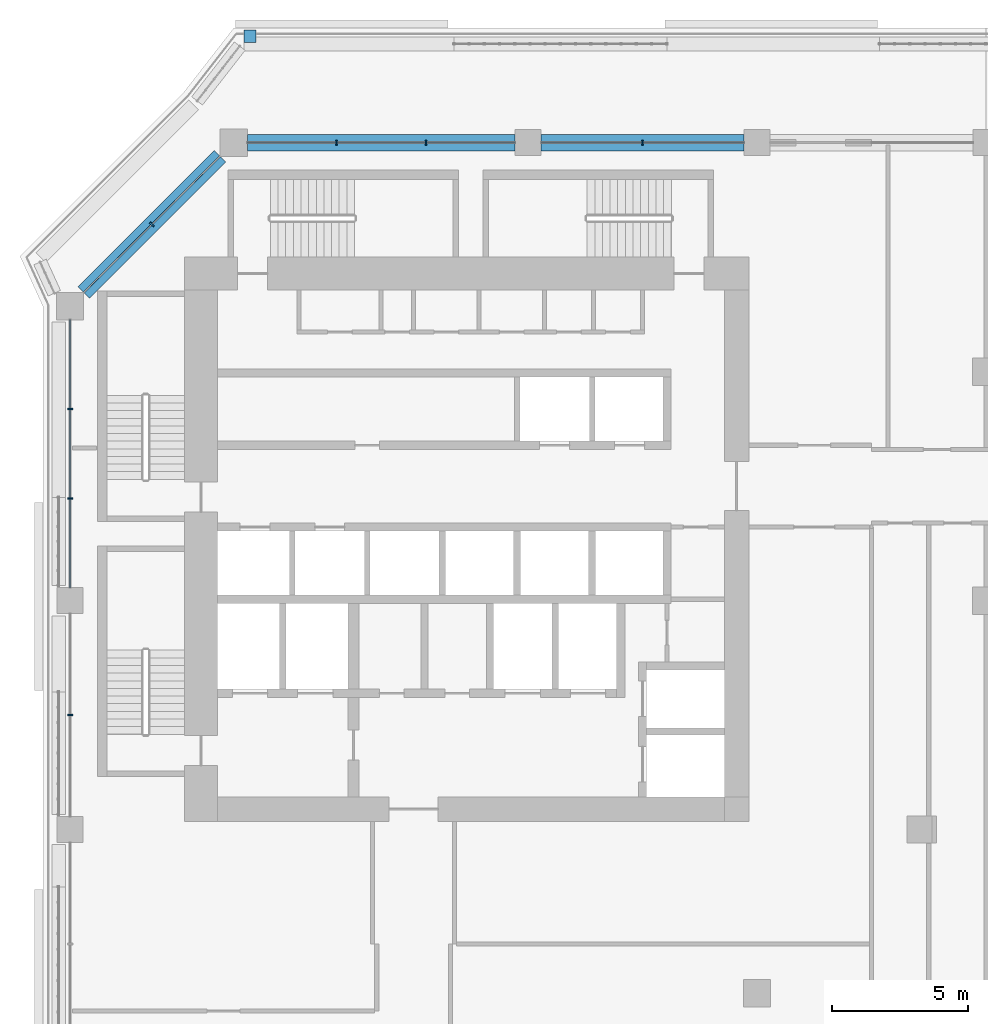
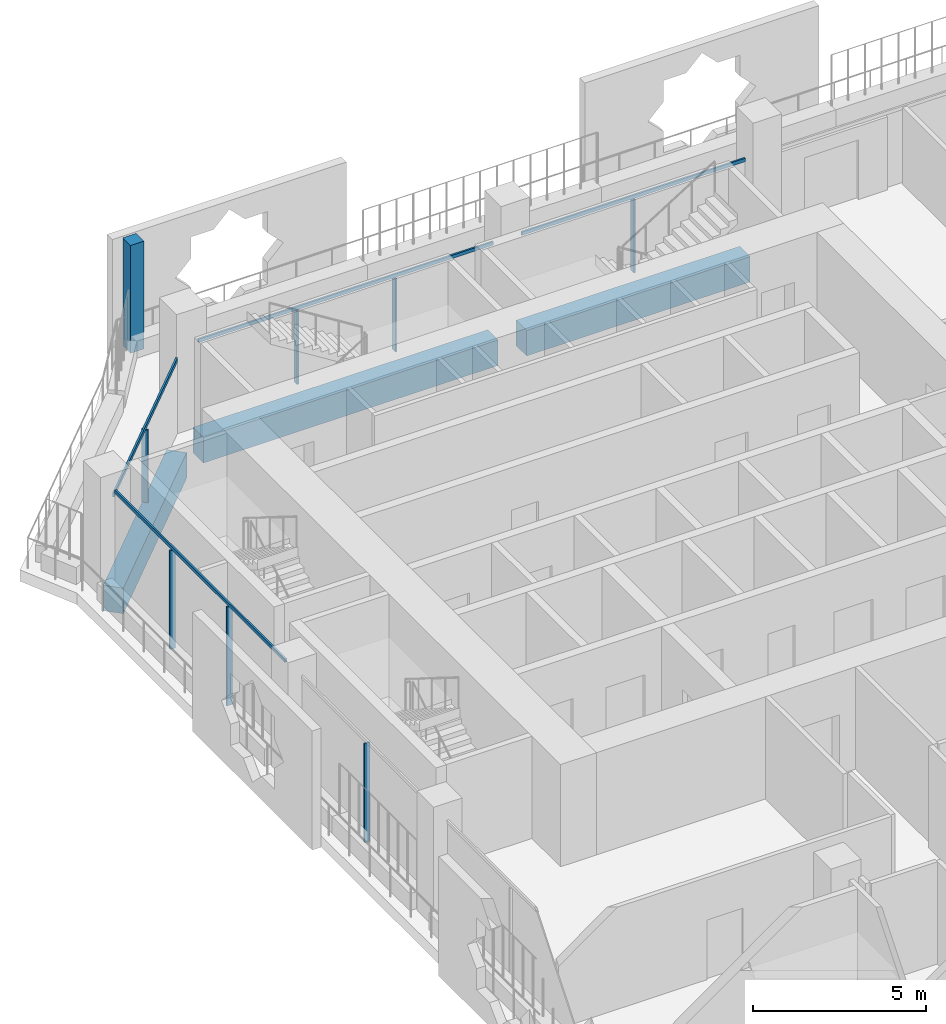
# One storey, part 5 of 22: 12 members, 3 beams, 4 elements without a shape of their own.
"""IFC4 building model written with IfcOpenShell, lengths in metres."""

from ifc_helpers import new_model, si_unit, direction, frame, origin, origin_2d, place, context, subcontext, project, spatial, rectangle, extrude, material, layer, layer_set, material_profile, profile_set, type_object, element, aggregate, save


model = new_model("IFC4")

# Units and contexts
model_context = context("Model", 3, precision=1e-05, world=origin(), true_north=direction((0.0, 1.0)))
body_context = subcontext(model_context, "Body", "Model", "MODEL_VIEW")
ifc_project = project(units=[si_unit("LENGTHUNIT", "METRE"), si_unit("AREAUNIT", "SQUARE_METRE"), si_unit("VOLUMEUNIT", "CUBIC_METRE"), si_unit("PLANEANGLEUNIT", "RADIAN"), si_unit("MASSUNIT", "GRAM", prefix="KILO")], contexts=[model_context])

# Site, building, storey
site_placement = place(None, origin())
site = spatial("IfcSite", under=ifc_project, at=site_placement, CompositionType="ELEMENT")
building_placement = place(site_placement, origin())
building = spatial("IfcBuilding", under=site, at=building_placement, Name="Kawkab Arch Medical Tower", CompositionType="ELEMENT")
storey_placement = place(building_placement, frame((0.0, 0.0, 196.199951171875)))
storey = spatial("IfcBuildingStorey", under=building, at=storey_placement, Name="L45", CompositionType="ELEMENT", Elevation=196.199951171875)

# Curtain wall, members
ifc_material_1 = material(Name="Bronze anodised aluminium curtain wall frame", Category="aluminium")
ifc_layer_1 = layer(ifc_material_1, 0.159912109375)
ifc_layer_set_1 = layer_set([ifc_layer_1], Name="Bronze anodised aluminium curtain wall frame")
curtain_wall_type_1 = type_object("IfcCurtainWallType", Name="CW1 ward curtain wall", PredefinedType="NOTDEFINED", material=ifc_layer_set_1)
placement = place(storey_placement, origin())
curtain_wall_1 = element("IfcCurtainWall", 1, at=placement, inside=storey, type_object=curtain_wall_type_1, Name="CW1 Ward curtain wall R01", PredefinedType="NOTDEFINED")
ifc_material_2 = material(Name="Bronze anodised aluminium curtain wall frame", Category="aluminium")
ifc_material_profile_1 = material_profile(ifc_material_2, rectangle(XDim=0.179931640625, YDim=0.06005859375, at=origin_2d()), Name="AL 60x180")
ifc_profile_set_1 = profile_set([ifc_material_profile_1], Name="Bronze anodised aluminium curtain wall frame")
member_type_1 = type_object("IfcMemberType", Name="CW1 mullion 60 x 180", PredefinedType="MULLION", material=ifc_profile_set_1)
member_1_placement = place(storey_placement, frame((0.0, -9.77490234375, 0.0), z_axis=(0.0, 0.0, 1.0), x_axis=(1.0, 0.0, 0.0)))
member_1 = element("IfcMember", 2, at=member_1_placement, type_object=member_type_1, Name="CW1 mullion 1.1", PredefinedType="MULLION", context=body_context, shape_type="SweptSolid", body=[
    extrude(rectangle(XDim=0.179931640625, YDim=0.06005859375, at=origin_2d()), origin(), (0.0, 0.0, 1.0), 3.47998046875),
])
member_2_placement = place(storey_placement, frame((0.0, -13.050048828125, 0.0), z_axis=(0.0, 0.0, 1.0), x_axis=(1.0, 0.0, 0.0)))
member_2 = element("IfcMember", 3, at=member_2_placement, type_object=member_type_1, Name="CW1 mullion 1.2", PredefinedType="MULLION", context=body_context, shape_type="SweptSolid", body=[
    extrude(rectangle(XDim=0.179931640625, YDim=0.06005859375, at=origin_2d()), origin(), (0.0, 0.0, 1.0), 3.47998046875),
])
member_3_placement = place(storey_placement, frame((0.0, -21.0, 0.0), z_axis=(0.0, 0.0, 1.0), x_axis=(1.0, 0.0, 0.0)))
member_3 = element("IfcMember", 4, at=member_3_placement, type_object=member_type_1, Name="CW1 mullion 2.1", PredefinedType="MULLION", context=body_context, shape_type="SweptSolid", body=[
    extrude(rectangle(XDim=0.179931640625, YDim=0.06005859375, at=origin_2d()), origin(), (0.0, 0.0, 1.0), 3.47998046875),
])

curtain_wall_2 = element("IfcCurtainWall", 5, at=placement, inside=storey, type_object=curtain_wall_type_1, Name="CW1 Ward curtain wall R11", PredefinedType="NOTDEFINED")
member_4_placement = place(storey_placement, frame((21.0, 0.0, 0.0), z_axis=(0.0, 0.0, 1.0), x_axis=(0.0, -1.0, 0.0)))
member_4 = element("IfcMember", 6, at=member_4_placement, type_object=member_type_1, Name="CW1 mullion 5.1", PredefinedType="MULLION", context=body_context, shape_type="SweptSolid", body=[
    extrude(rectangle(XDim=0.179931640625, YDim=0.06005859375, at=origin_2d()), origin(), (0.0, 0.0, 1.0), 2.580078125),
])
member_5_placement = place(storey_placement, frame((13.050048828125, 0.0, 0.0), z_axis=(0.0, 0.0, 1.0), x_axis=(0.0, -1.0, 0.0)))
member_5 = element("IfcMember", 7, at=member_5_placement, type_object=member_type_1, Name="CW1 mullion 6.1", PredefinedType="MULLION", context=body_context, shape_type="SweptSolid", body=[
    extrude(rectangle(XDim=0.179931640625, YDim=0.06005859375, at=origin_2d()), origin(), (0.0, 0.0, 1.0), 2.580078125),
])
member_6_placement = place(storey_placement, frame((9.77490234375, 0.0, 0.0), z_axis=(0.0, 0.0, 1.0), x_axis=(0.0, -1.0, 0.0)))
member_6 = element("IfcMember", 8, at=member_6_placement, type_object=member_type_1, Name="CW1 mullion 6.2", PredefinedType="MULLION", context=body_context, shape_type="SweptSolid", body=[
    extrude(rectangle(XDim=0.179931640625, YDim=0.06005859375, at=origin_2d()), origin(), (0.0, 0.0, 1.0), 2.580078125),
])

# Member
ifc_material_3 = material(Name="Bronze anodised aluminium curtain wall frame", Category="aluminium")
ifc_material_profile_2 = material_profile(ifc_material_3, rectangle(XDim=0.06005859375, YDim=0.1201171875, at=origin_2d()), Name="AL 60x120")
ifc_profile_set_2 = profile_set([ifc_material_profile_2], Name="Bronze anodised aluminium curtain wall frame")
member_type_2 = type_object("IfcMemberType", Name="CW1 transom 120 x 60", PredefinedType="USERDEFINED", material=ifc_profile_set_2)
member_7_placement = place(storey_placement, frame((0.0, -6.5, 3.5400390625), z_axis=(0.0, -1.0, 0.0), x_axis=(1.0, 0.0, 0.0)))
member_7 = element("IfcMember", 9, at=member_7_placement, type_object=member_type_2, Name="CW1 transom 1", ObjectType="TRANSOM", PredefinedType="USERDEFINED", context=body_context, shape_type="SweptSolid", body=[
    extrude(rectangle(XDim=0.06005859375, YDim=0.1201171875, at=origin_2d()), origin(), (0.0, 0.0, 1.0), 9.824951171875),
])

aggregate(curtain_wall_1, [member_7, member_1, member_2, member_3])

member_8_placement = place(storey_placement, frame((24.72509765625, 0.0, 2.64013671875), z_axis=(-1.0, 0.0, 0.0), x_axis=(0.0, -1.0, 0.0)))
member_8 = element("IfcMember", 10, at=member_8_placement, type_object=member_type_2, Name="CW1 transom 5", ObjectType="TRANSOM", PredefinedType="USERDEFINED", context=body_context, shape_type="SweptSolid", body=[
    extrude(rectangle(XDim=0.06005859375, YDim=0.1201171875, at=origin_2d()), origin(), (0.0, 0.0, 1.0), 7.4501953125),
])

member_9_placement = place(storey_placement, frame((16.324951171875, 0.0, 2.64013671875), z_axis=(-1.0, 0.0, 0.0), x_axis=(0.0, -1.0, 0.0)))
member_9 = element("IfcMember", 11, at=member_9_placement, type_object=member_type_2, Name="CW1 transom 6", ObjectType="TRANSOM", PredefinedType="USERDEFINED", context=body_context, shape_type="SweptSolid", body=[
    extrude(rectangle(XDim=0.06005859375, YDim=0.1201171875, at=origin_2d()), origin(), (0.0, 0.0, 1.0), 9.824951171875),
])

aggregate(curtain_wall_2, [member_8, member_4, member_9, member_5, member_6])

# Curtain wall, members
ifc_material_4 = material(Name="Bronze anodised aluminium curtain wall frame", Category="aluminium")
ifc_layer_2 = layer(ifc_material_4, 0.159912109375)
ifc_layer_set_2 = layer_set([ifc_layer_2], Name="Bronze anodised aluminium curtain wall frame")
curtain_wall_type_2 = type_object("IfcCurtainWallType", Name="CW2 chamfer curtain wall", PredefinedType="NOTDEFINED", material=ifc_layer_set_2)
curtain_wall_3 = element("IfcCurtainWall", 12, at=placement, inside=storey, type_object=curtain_wall_type_2, Name="CW2 Chamfer curtain wall R12", PredefinedType="NOTDEFINED")
ifc_material_5 = material(Name="Bronze anodised aluminium curtain wall frame", Category="aluminium")
ifc_material_profile_3 = material_profile(ifc_material_5, rectangle(XDim=0.199951171875, YDim=0.06005859375, at=origin_2d()), Name="AL 60x200")
ifc_profile_set_3 = profile_set([ifc_material_profile_3], Name="Bronze anodised aluminium curtain wall frame")
member_type_3 = type_object("IfcMemberType", Name="CW2 mullion 60 x 200", PredefinedType="MULLION", material=ifc_profile_set_3)
member_10_placement = place(storey_placement, frame((3.0, -3.0, 0.0), z_axis=(0.0, 0.0, 1.0), x_axis=(0.707106781187, -0.707106781187, 0.0)))
member_10 = element("IfcMember", 13, at=member_10_placement, type_object=member_type_3, Name="CW2 mullion 1.1", PredefinedType="MULLION", context=body_context, shape_type="SweptSolid", body=[
    extrude(rectangle(XDim=0.199951171875, YDim=0.06005859375, at=origin_2d()), origin(), (0.0, 0.0, 1.0), 2.56005859375),
])
ifc_material_6 = material(Name="Bronze anodised aluminium curtain wall frame", Category="aluminium")
ifc_material_profile_4 = material_profile(ifc_material_6, rectangle(XDim=0.06005859375, YDim=0.139892578125, at=origin_2d()), Name="AL 60x140")
ifc_profile_set_4 = profile_set([ifc_material_profile_4], Name="Bronze anodised aluminium curtain wall frame")
member_type_4 = type_object("IfcMemberType", Name="CW2 transom 140 x 60", PredefinedType="USERDEFINED", material=ifc_profile_set_4)
member_11_placement = place(storey_placement, frame((5.5, -0.5, 2.630126953125), z_axis=(-0.707106781187, -0.707106781187, 0.0), x_axis=(0.707106781187, -0.707106781187, 0.0)))
member_11 = element("IfcMember", 14, at=member_11_placement, type_object=member_type_4, Name="CW2 transom 1", ObjectType="TRANSOM", PredefinedType="USERDEFINED", context=body_context, shape_type="SweptSolid", body=[
    extrude(rectangle(XDim=0.06005859375, YDim=0.139892578125, at=origin_2d()), origin(), (0.0, 0.0, 1.0), 7.071044921875),
])
aggregate(curtain_wall_3, [member_11, member_10])

# Curtain wall, member
ifc_material_7 = material(Name="Bronze anodised aluminium climber frame, planted", Category="aluminium")
ifc_layer_3 = layer(ifc_material_7, 0.449951171875)
ifc_layer_set_3 = layer_set([ifc_layer_3], Name="Bronze anodised aluminium climber frame, planted")
curtain_wall_type_3 = type_object("IfcCurtainWallType", Name="Planted climber frame", PredefinedType="NOTDEFINED", material=ifc_layer_set_3)
curtain_wall_4 = element("IfcCurtainWall", 15, at=placement, inside=storey, type_object=curtain_wall_type_3, Name="Planted climber frame L45", PredefinedType="NOTDEFINED")
ifc_material_8 = material(Name="Bronze anodised aluminium climber frame, planted", Category="aluminium")
ifc_material_profile_5 = material_profile(ifc_material_8, rectangle(XDim=0.449951171875, YDim=0.449951171875, at=origin_2d()), Name="Post 450x450")
ifc_profile_set_5 = profile_set([ifc_material_profile_5], Name="Bronze anodised aluminium climber frame, planted")
member_type_5 = type_object("IfcMemberType", Name="Planted climber post 450 x 450", PredefinedType="MULLION", material=ifc_profile_set_5)
member_12_placement = place(storey_placement, frame((6.596923828125, 3.89990234375, 0.0), z_axis=(0.0, 0.0, 1.0), x_axis=(1.0, 0.0, 0.0)))
member_12 = element("IfcMember", 16, at=member_12_placement, type_object=member_type_5, Name="Planted climber post L45.LOG-01-01.1", PredefinedType="MULLION", context=body_context, shape_type="SweptSolid", body=[
    extrude(rectangle(XDim=0.449951171875, YDim=0.449951171875, at=origin_2d()), origin(), (0.0, 0.0, 1.0), 3.800048828125),
])
aggregate(curtain_wall_4, [member_12])

# Beams
ifc_material_9 = material(Name="Concrete C50/60", Category="concrete")
ifc_material_profile_6 = material_profile(ifc_material_9, rectangle(XDim=0.60009765625, YDim=0.89990234375, at=origin_2d()), Name="RC 600x900")
ifc_profile_set_6 = profile_set([ifc_material_profile_6], Name="Concrete C50/60")
beam_type = type_object("IfcBeamType", Name="RC 600x900 beam C50/60", PredefinedType="BEAM", material=ifc_profile_set_6)
beam_1_placement = place(storey_placement, frame((0.5, -5.5, -1.050048828125), z_axis=(0.707106781187, 0.707106781187, 0.0), x_axis=(-0.707106781187, 0.707106781187, 0.0)))
element("IfcBeam", 17, at=beam_1_placement, inside=storey, type_object=beam_type, Name="Overhang edge beam L45-01", PredefinedType="BEAM", context=body_context, shape_type="SweptSolid", body=[
    extrude(rectangle(XDim=0.60009765625, YDim=0.89990234375, at=origin_2d()), origin(), (0.0, 0.0, 1.0), 7.071044921875),
])
beam_2_placement = place(storey_placement, frame((6.5, 0.0, -1.050048828125), z_axis=(1.0, 0.0, 0.0), x_axis=(0.0, 1.0, 0.0)))
element("IfcBeam", 18, at=beam_2_placement, inside=storey, type_object=beam_type, Name="Overhang edge beam L45-02", PredefinedType="BEAM", context=body_context, shape_type="SweptSolid", body=[
    extrude(rectangle(XDim=0.60009765625, YDim=0.89990234375, at=origin_2d()), origin(), (0.0, 0.0, 1.0), 9.824951171875),
])
beam_3_placement = place(storey_placement, frame((17.27490234375, 0.0, -1.050048828125), z_axis=(1.0, 0.0, 0.0), x_axis=(0.0, 1.0, 0.0)))
element("IfcBeam", 19, at=beam_3_placement, inside=storey, type_object=beam_type, Name="Overhang edge beam L45-03", PredefinedType="BEAM", context=body_context, shape_type="SweptSolid", body=[
    extrude(rectangle(XDim=0.60009765625, YDim=0.89990234375, at=origin_2d()), origin(), (0.0, 0.0, 1.0), 7.4501953125),
])

save(model, "model.ifc")
